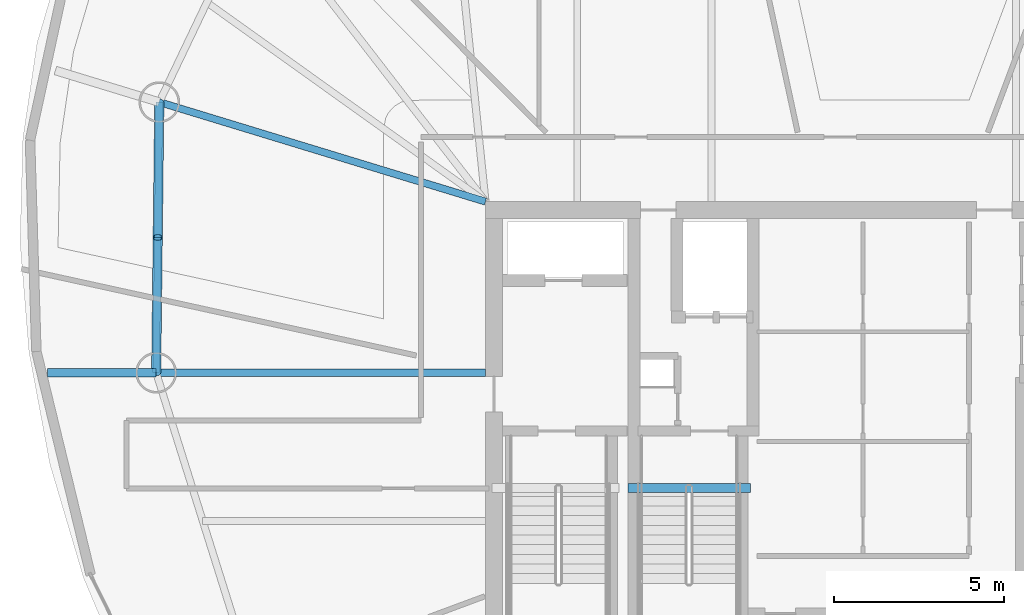
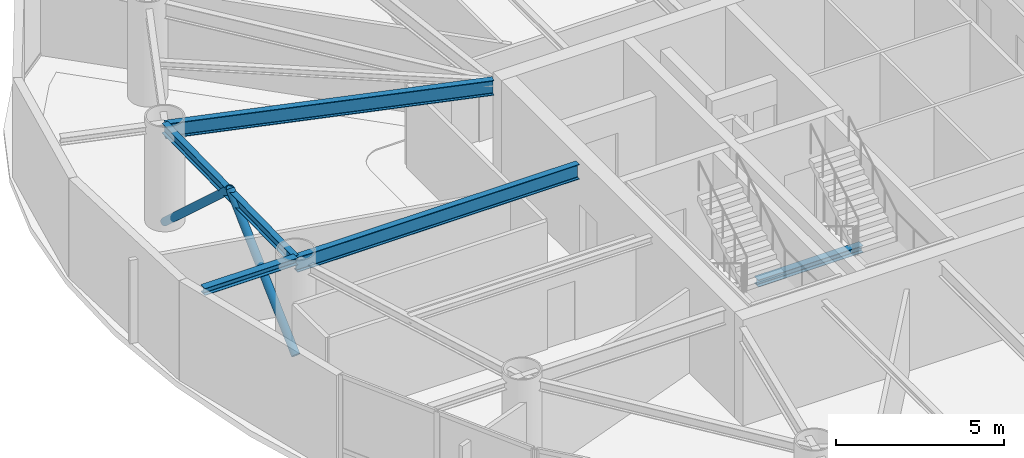
# One storey, part 5 of 19: 5 beams, 2 members.
"""IFC4 building model written with IfcOpenShell, lengths in metres."""

from ifc_helpers import new_model, si_unit, direction, frame, origin, origin_2d, place, context, subcontext, project, spatial, hollow_circle, i_section, extrude, material, material_profile, profile_set, type_object, element, save


model = new_model("IFC4")

# Units and contexts
model_context = context("Model", 3, precision=1e-05, world=origin(), true_north=direction((0.0, 1.0)))
body_context = subcontext(model_context, "Body", "Model", "MODEL_VIEW")
ifc_project = project(units=[si_unit("LENGTHUNIT", "METRE"), si_unit("AREAUNIT", "SQUARE_METRE"), si_unit("VOLUMEUNIT", "CUBIC_METRE"), si_unit("PLANEANGLEUNIT", "RADIAN"), si_unit("MASSUNIT", "GRAM", prefix="KILO")], contexts=[model_context])

# Site, building, storey
site_placement = place(None, origin())
site = spatial("IfcSite", under=ifc_project, at=site_placement, CompositionType="ELEMENT")
building_placement = place(site_placement, origin())
building = spatial("IfcBuilding", under=site, at=building_placement, Name="Bramvorn Convention Spire", CompositionType="ELEMENT")
storey_placement = place(building_placement, frame((0.0, 0.0, 198.14990234375)))
storey = spatial("IfcBuildingStorey", under=building, at=storey_placement, Name="L50", CompositionType="ELEMENT", Elevation=198.14990234375)

# Beams
ifc_material = material(Name="Steel CSA G40.21 Grade 350 (350W)", Category="steel")
ifc_material_profile_1 = material_profile(ifc_material, i_section(OverallWidth=0.25390625, OverallDepth=0.2529296875, WebThickness=0.008544921875, FlangeThickness=0.01416015625, FilletRadius=0.011962890625, at=origin_2d()))
ifc_profile_set_1 = profile_set([ifc_material_profile_1], Name="Steel CSA G40.21 Grade 350 (350W) - W250X73")
beam_type_1 = type_object("IfcBeamType", Name="BM-W250X73", PredefinedType="BEAM", material=ifc_profile_set_1)
beam_1_placement = place(storey_placement, frame((17.04541015625, 28.406494140625, 3.49365234375), z_axis=(-1.0, 0.0, 0.0), x_axis=(0.0, -1.0, 0.0)))
element("IfcBeam", 1, at=beam_1_placement, inside=storey, type_object=beam_type_1, Name="L50 slab-edge cantilever tip beam MC11", PredefinedType="BEAM", context=body_context, shape_type="SweptSolid", body=[
    extrude(i_section(OverallWidth=0.25390625, OverallDepth=0.2529296875, WebThickness=0.008544921875, FlangeThickness=0.01416015625, FilletRadius=0.011962890625, at=origin_2d()), origin(), (0.0, 0.0, 1.0), 3.2001953125),
])
beam_2_placement = place(storey_placement, frame((30.949951171875, 25.010009765625, -0.12646484375), z_axis=(1.0, 0.0, 0.0), x_axis=(0.0, 1.0, 0.0)))
element("IfcBeam", 2, at=beam_2_placement, inside=storey, type_object=beam_type_1, Name="L50 ST3 stair arrival header beam", PredefinedType="BEAM", context=body_context, shape_type="SweptSolid", body=[
    extrude(i_section(OverallWidth=0.25390625, OverallDepth=0.2529296875, WebThickness=0.008544921875, FlangeThickness=0.01416015625, FilletRadius=0.011962890625, at=origin_2d()), origin(), (0.0, 0.0, 1.0), 3.610107421875),
])
ifc_material_profile_2 = material_profile(ifc_material, i_section(OverallWidth=0.205078125, OverallDepth=0.35400390625, WebThickness=0.009521484375, FlangeThickness=0.016845703125, FilletRadius=0.014892578125, at=origin_2d()))
ifc_profile_set_2 = profile_set([ifc_material_profile_2], Name="Steel CSA G40.21 Grade 350 (350W) - W360X79")
beam_type_2 = type_object("IfcBeamType", Name="BM-W360X79", PredefinedType="JOIST", material=ifc_profile_set_2)
beam_3_placement = place(storey_placement, frame((17.136962890625, 36.380615234375, 3.443115234375), z_axis=(-0.011480475367, -0.999934097171, 0.0), x_axis=(0.999934097171, -0.011480475367, 0.0)))
element("IfcBeam", 3, at=beam_3_placement, inside=storey, type_object=beam_type_2, Name="L50 mega-column ring beam 10", PredefinedType="JOIST", context=body_context, shape_type="SweptSolid", body=[
    extrude(i_section(OverallWidth=0.205078125, OverallDepth=0.35400390625, WebThickness=0.009521484375, FlangeThickness=0.016845703125, FilletRadius=0.014892578125, at=origin_2d()), origin(), (0.0, 0.0, 1.0), 7.974609375),
])
ifc_material_profile_3 = material_profile(ifc_material, i_section(OverallWidth=0.2119140625, OverallDepth=0.5439453125, WebThickness=0.01318359375, FlangeThickness=0.021240234375, FilletRadius=0.01904296875, at=origin_2d()))
ifc_profile_set_3 = profile_set([ifc_material_profile_3], Name="Steel CSA G40.21 Grade 350 (350W) - W530X123")
beam_type_3 = type_object("IfcBeamType", Name="BM-W530X123", PredefinedType="BEAM", material=ifc_profile_set_3)
beam_4_placement = place(storey_placement, frame((26.75, 33.449951171875, 3.34814453125), z_axis=(-0.95653637984, 0.291613021044, 0.0), x_axis=(-0.291613021044, -0.95653637984, 0.0)))
element("IfcBeam", 4, at=beam_4_placement, inside=storey, type_object=beam_type_3, Name="L50 radial floor girder MC10", PredefinedType="BEAM", context=body_context, shape_type="SweptSolid", body=[
    extrude(i_section(OverallWidth=0.2119140625, OverallDepth=0.5439453125, WebThickness=0.01318359375, FlangeThickness=0.021240234375, FilletRadius=0.01904296875, at=origin_2d()), origin(), (0.0, 0.0, 1.0), 10.0498046875),
])
beam_5_placement = place(storey_placement, frame((26.75, 28.406494140625, 3.34814453125), z_axis=(-1.0, 0.0, 0.0), x_axis=(0.0, -1.0, 0.0)))
element("IfcBeam", 5, at=beam_5_placement, inside=storey, type_object=beam_type_3, Name="L50 radial floor girder MC11", PredefinedType="BEAM", context=body_context, shape_type="SweptSolid", body=[
    extrude(i_section(OverallWidth=0.2119140625, OverallDepth=0.5439453125, WebThickness=0.01318359375, FlangeThickness=0.021240234375, FilletRadius=0.01904296875, at=origin_2d()), origin(), (0.0, 0.0, 1.0), 9.70458984375),
])

# Members
ifc_material_profile_4 = material_profile(ifc_material, hollow_circle(Radius=0.136474609375, WallThickness=0.0126953125, at=origin_2d()))
ifc_profile_set_4 = profile_set([ifc_material_profile_4], Name="Steel CSA G40.21 Grade 350 (350W) - CHS273X13")
member_type = type_object("IfcMemberType", Name="MBR-CHS273X13", PredefinedType="BRACE", material=ifc_profile_set_4)
for number, where, z_axis, x_axis, name in (
    (6, (17.136962890625, 36.380615234375, 0.0), (-0.008522537115, -0.740327412931, 0.672192448652), (0.999933745256, -0.011511085917, 0.0), "L50 perimeter Gothic lancet brace 10A"),
    (7, (17.04541015625, 28.406494140625, 0.0), (0.008477207738, 0.740327698195, 0.672192707662), (-0.99993444815, 0.011449864785, 0.0), "L50 perimeter Gothic lancet brace 10B"),
):
    element("IfcMember", number, at=place(storey_placement, frame(where, z_axis=z_axis, x_axis=x_axis)), inside=storey, type_object=member_type, Name=name, PredefinedType="BRACE", context=body_context, shape_type="SweptSolid", body=[
        extrude(hollow_circle(Radius=0.136474609375, WallThickness=0.0126953125, at=origin_2d()), origin(), (0.0, 0.0, 1.0), 5.385498046875),
    ])

save(model, "model.ifc")
